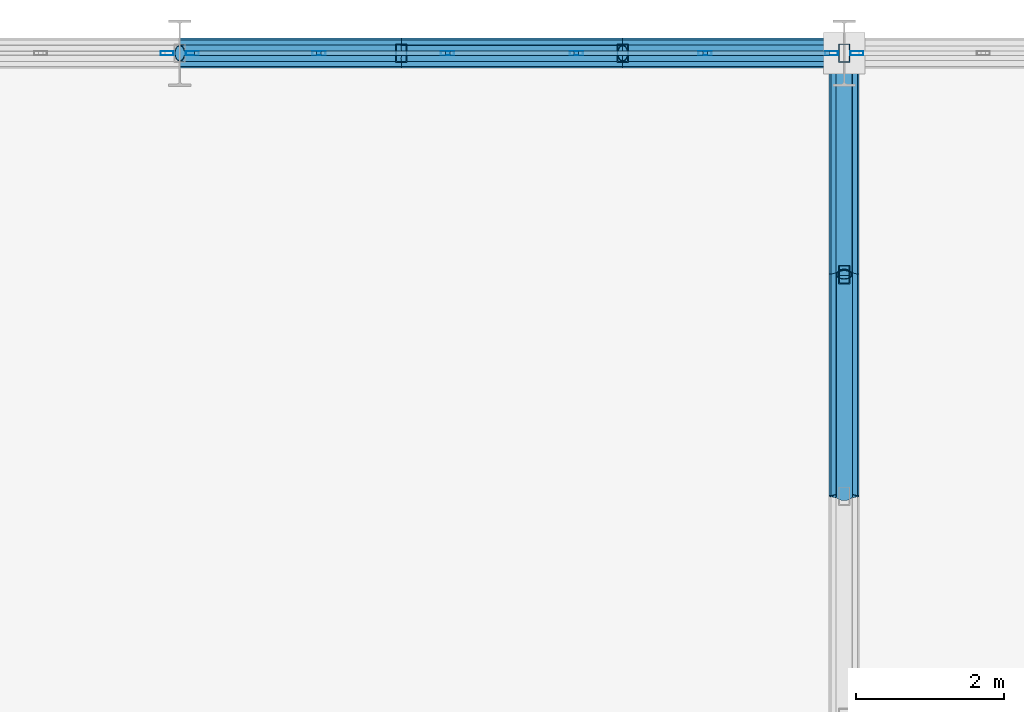
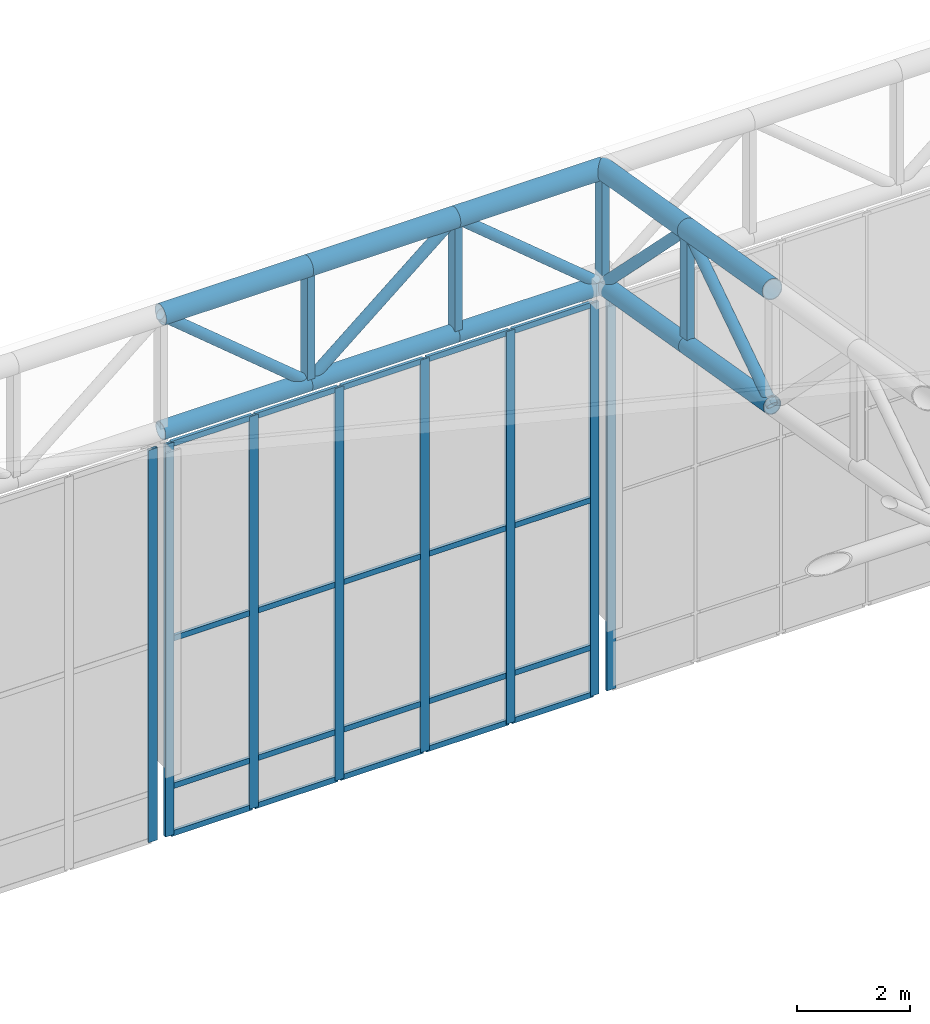
# One storey, part 126 of 239: 47 members, 3 elements without a shape of their own.
"""IFC4 building model written with IfcOpenShell, lengths in metres."""

from ifc_helpers import new_model, si_unit, direction, frame, origin, origin_2d, place, context, subcontext, project, spatial, hollow_rectangle, hollow_circle, extrude, material, material_profile, profile_set, type_object, element, aggregate, save


model = new_model("IFC4")

# Units and contexts
model_context = context("Model", 3, precision=1e-05, world=origin(), true_north=direction((0.0, 1.0)))
body_context = subcontext(model_context, "Body", "Model", "MODEL_VIEW")
ifc_project = project(units=[si_unit("LENGTHUNIT", "METRE"), si_unit("AREAUNIT", "SQUARE_METRE"), si_unit("VOLUMEUNIT", "CUBIC_METRE"), si_unit("PLANEANGLEUNIT", "RADIAN"), si_unit("MASSUNIT", "GRAM", prefix="KILO")], contexts=[model_context])

# Site, building, storey
site_placement = place(None, origin())
site = spatial("IfcSite", under=ifc_project, at=site_placement, CompositionType="ELEMENT")
building_placement = place(site_placement, origin())
building = spatial("IfcBuilding", under=site, at=building_placement, Name="Kaldris Quays Convention Centre", CompositionType="ELEMENT")
storey_placement = place(building_placement, frame((0.0, 0.0, 11.39990234375)))
storey = spatial("IfcBuildingStorey", under=building, at=storey_placement, Name="L02", CompositionType="ELEMENT", Elevation=11.39990234375)

# Curtain wall, member
ifc_material_1 = material(Name="Anodized aluminium AW-6060 and triple glazing", Category="aluminium")
curtain_wall_type = type_object("IfcCurtainWallType", Name="UNITISED CURTAIN WALL CW03", PredefinedType="NOTDEFINED", material=ifc_material_1)
curtain_wall_1_placement = place(storey_placement, origin())
curtain_wall_1 = element("IfcCurtainWall", 1, at=curtain_wall_1_placement, inside=storey, type_object=curtain_wall_type, Name="L02 Unitised Curtain Wall CW03 244", PredefinedType="NOTDEFINED")
ifc_material_2 = material(Name="Anodized aluminium AW-6060", Category="aluminium")
ifc_material_profile_1 = material_profile(ifc_material_2, hollow_rectangle(XDim=0.06005859375, YDim=0.179931640625, WallThickness=0.0048828125, at=origin_2d()), Name="RHS 180x60x5")
ifc_profile_set_1 = profile_set([ifc_material_profile_1], Name="Anodized aluminium AW-6060")
member_type_1 = type_object("IfcMemberType", Name="CURTAIN MULLION CWM2", PredefinedType="MULLION", material=ifc_profile_set_1)
member_1_placement = place(storey_placement, frame((100.830078125, 140.0, -1.60498046875), z_axis=(0.0, 0.0, 1.0), x_axis=(0.0, 1.0, 0.0)))
member_1 = element("IfcMember", 2, at=member_1_placement, type_object=member_type_1, Name="CW03 mullion 6", PredefinedType="MULLION", context=body_context, shape_type="SweptSolid", body=[
    extrude(hollow_rectangle(XDim=0.06005859375, YDim=0.179931640625, WallThickness=0.0048828125, at=origin_2d()), origin(), (0.0, 0.0, 1.0), 8.455078125),
])
aggregate(curtain_wall_1, [member_1])

# Curtain wall, members
curtain_wall_2_placement = place(storey_placement, origin())
curtain_wall_2 = element("IfcCurtainWall", 3, at=curtain_wall_2_placement, inside=storey, type_object=curtain_wall_type, Name="L02 Unitised Curtain Wall CW03 246", PredefinedType="NOTDEFINED")
member_2_placement = place(storey_placement, frame((101.169921875, 140.0, -1.60498046875), z_axis=(0.0, 0.0, 1.0), x_axis=(0.0, 1.0, 0.0)))
member_2 = element("IfcMember", 4, at=member_2_placement, type_object=member_type_1, Name="CW03 mullion 1", PredefinedType="MULLION", context=body_context, shape_type="SweptSolid", body=[
    extrude(hollow_rectangle(XDim=0.06005859375, YDim=0.179931640625, WallThickness=0.0048828125, at=origin_2d()), origin(), (0.0, 0.0, 1.0), 8.455078125),
])
member_3_placement = place(storey_placement, frame((102.884033203125, 140.0, -1.60498046875), z_axis=(0.0, 0.0, 1.0), x_axis=(0.0, 1.0, 0.0)))
member_3 = element("IfcMember", 5, at=member_3_placement, type_object=member_type_1, Name="CW03 mullion 2", PredefinedType="MULLION", context=body_context, shape_type="SweptSolid", body=[
    extrude(hollow_rectangle(XDim=0.06005859375, YDim=0.179931640625, WallThickness=0.0048828125, at=origin_2d()), origin(), (0.0, 0.0, 1.0), 8.455078125),
])
member_4_placement = place(storey_placement, frame((104.6279296875, 140.0, -1.60498046875), z_axis=(0.0, 0.0, 1.0), x_axis=(0.0, 1.0, 0.0)))
member_4 = element("IfcMember", 6, at=member_4_placement, type_object=member_type_1, Name="CW03 mullion 3", PredefinedType="MULLION", context=body_context, shape_type="SweptSolid", body=[
    extrude(hollow_rectangle(XDim=0.06005859375, YDim=0.179931640625, WallThickness=0.0048828125, at=origin_2d()), origin(), (0.0, 0.0, 1.0), 8.455078125),
])
member_5_placement = place(storey_placement, frame((106.3720703125, 140.0, -1.60498046875), z_axis=(0.0, 0.0, 1.0), x_axis=(0.0, 1.0, 0.0)))
member_5 = element("IfcMember", 7, at=member_5_placement, type_object=member_type_1, Name="CW03 mullion 4", PredefinedType="MULLION", context=body_context, shape_type="SweptSolid", body=[
    extrude(hollow_rectangle(XDim=0.06005859375, YDim=0.179931640625, WallThickness=0.0048828125, at=origin_2d()), origin(), (0.0, 0.0, 1.0), 8.455078125),
])
member_6_placement = place(storey_placement, frame((108.115966796875, 140.0, -1.60498046875), z_axis=(0.0, 0.0, 1.0), x_axis=(0.0, 1.0, 0.0)))
member_6 = element("IfcMember", 8, at=member_6_placement, type_object=member_type_1, Name="CW03 mullion 5", PredefinedType="MULLION", context=body_context, shape_type="SweptSolid", body=[
    extrude(hollow_rectangle(XDim=0.06005859375, YDim=0.179931640625, WallThickness=0.0048828125, at=origin_2d()), origin(), (0.0, 0.0, 1.0), 8.455078125),
])
member_7_placement = place(storey_placement, frame((109.830078125, 140.0, -1.60498046875), z_axis=(0.0, 0.0, 1.0), x_axis=(0.0, 1.0, 0.0)))
member_7 = element("IfcMember", 9, at=member_7_placement, type_object=member_type_1, Name="CW03 mullion 6", PredefinedType="MULLION", context=body_context, shape_type="SweptSolid", body=[
    extrude(hollow_rectangle(XDim=0.06005859375, YDim=0.179931640625, WallThickness=0.0048828125, at=origin_2d()), origin(), (0.0, 0.0, 1.0), 8.455078125),
])

# Curtain wall, member
curtain_wall_3_placement = place(storey_placement, origin())
curtain_wall_3 = element("IfcCurtainWall", 10, at=curtain_wall_3_placement, inside=storey, type_object=curtain_wall_type, Name="L02 Unitised Curtain Wall CW03 248", PredefinedType="NOTDEFINED")
member_8_placement = place(storey_placement, frame((110.169921875, 140.0, -1.60498046875), z_axis=(0.0, 0.0, 1.0), x_axis=(0.0, 1.0, 0.0)))
member_8 = element("IfcMember", 11, at=member_8_placement, type_object=member_type_1, Name="CW03 mullion 1", PredefinedType="MULLION", context=body_context, shape_type="SweptSolid", body=[
    extrude(hollow_rectangle(XDim=0.06005859375, YDim=0.179931640625, WallThickness=0.0048828125, at=origin_2d()), origin(), (0.0, 0.0, 1.0), 8.455078125),
])
aggregate(curtain_wall_3, [member_8])

# Member
ifc_material_profile_2 = material_profile(ifc_material_2, hollow_rectangle(XDim=0.06005859375, YDim=0.1201171875, WallThickness=0.00390625, at=origin_2d()), Name="RHS 120x60x4")
ifc_profile_set_2 = profile_set([ifc_material_profile_2], Name="Anodized aluminium AW-6060")
member_type_2 = type_object("IfcMemberType", Name="CURTAIN TRANSOM CWT1", PredefinedType="USERDEFINED", material=ifc_profile_set_2)
member_9_placement = place(storey_placement, frame((101.199951171875, 140.0, -1.574951171875), z_axis=(1.0, 0.0, 0.0), x_axis=(0.0, 1.0, 0.0)))
member_9 = element("IfcMember", 12, at=member_9_placement, type_object=member_type_2, Name="CW03 transom 1.1", ObjectType="TRANSOM", PredefinedType="USERDEFINED", context=body_context, shape_type="SweptSolid", body=[
    extrude(hollow_rectangle(XDim=0.06005859375, YDim=0.1201171875, WallThickness=0.00390625, at=origin_2d()), origin(), (0.0, 0.0, 1.0), 1.654052734375),
])

member_10_placement = place(storey_placement, frame((101.199951171875, 140.0, -0.554931640625), z_axis=(1.0, 0.0, 0.0), x_axis=(0.0, 1.0, 0.0)))
member_10 = element("IfcMember", 13, at=member_10_placement, type_object=member_type_2, Name="CW03 transom 1.2", ObjectType="TRANSOM", PredefinedType="USERDEFINED", context=body_context, shape_type="SweptSolid", body=[
    extrude(hollow_rectangle(XDim=0.06005859375, YDim=0.1201171875, WallThickness=0.00390625, at=origin_2d()), origin(), (0.0, 0.0, 1.0), 1.654052734375),
])

member_11_placement = place(storey_placement, frame((101.199951171875, 140.0, 2.623046875), z_axis=(1.0, 0.0, 0.0), x_axis=(0.0, 1.0, 0.0)))
member_11 = element("IfcMember", 14, at=member_11_placement, type_object=member_type_2, Name="CW03 transom 1.3", ObjectType="TRANSOM", PredefinedType="USERDEFINED", context=body_context, shape_type="SweptSolid", body=[
    extrude(hollow_rectangle(XDim=0.06005859375, YDim=0.1201171875, WallThickness=0.00390625, at=origin_2d()), origin(), (0.0, 0.0, 1.0), 1.654052734375),
])

member_12_placement = place(storey_placement, frame((101.199951171875, 140.0, 6.820068359375), z_axis=(1.0, 0.0, 0.0), x_axis=(0.0, 1.0, 0.0)))
member_12 = element("IfcMember", 15, at=member_12_placement, type_object=member_type_2, Name="CW03 transom 1.4", ObjectType="TRANSOM", PredefinedType="USERDEFINED", context=body_context, shape_type="SweptSolid", body=[
    extrude(hollow_rectangle(XDim=0.06005859375, YDim=0.1201171875, WallThickness=0.00390625, at=origin_2d()), origin(), (0.0, 0.0, 1.0), 1.654052734375),
])

member_13_placement = place(storey_placement, frame((102.9140625, 140.0, -1.574951171875), z_axis=(1.0, 0.0, 0.0), x_axis=(0.0, 1.0, 0.0)))
member_13 = element("IfcMember", 16, at=member_13_placement, type_object=member_type_2, Name="CW03 transom 2.1", ObjectType="TRANSOM", PredefinedType="USERDEFINED", context=body_context, shape_type="SweptSolid", body=[
    extrude(hollow_rectangle(XDim=0.06005859375, YDim=0.1201171875, WallThickness=0.00390625, at=origin_2d()), origin(), (0.0, 0.0, 1.0), 1.683837890625),
])

member_14_placement = place(storey_placement, frame((102.9140625, 140.0, -0.554931640625), z_axis=(1.0, 0.0, 0.0), x_axis=(0.0, 1.0, 0.0)))
member_14 = element("IfcMember", 17, at=member_14_placement, type_object=member_type_2, Name="CW03 transom 2.2", ObjectType="TRANSOM", PredefinedType="USERDEFINED", context=body_context, shape_type="SweptSolid", body=[
    extrude(hollow_rectangle(XDim=0.06005859375, YDim=0.1201171875, WallThickness=0.00390625, at=origin_2d()), origin(), (0.0, 0.0, 1.0), 1.683837890625),
])

member_15_placement = place(storey_placement, frame((102.9140625, 140.0, 2.623046875), z_axis=(1.0, 0.0, 0.0), x_axis=(0.0, 1.0, 0.0)))
member_15 = element("IfcMember", 18, at=member_15_placement, type_object=member_type_2, Name="CW03 transom 2.3", ObjectType="TRANSOM", PredefinedType="USERDEFINED", context=body_context, shape_type="SweptSolid", body=[
    extrude(hollow_rectangle(XDim=0.06005859375, YDim=0.1201171875, WallThickness=0.00390625, at=origin_2d()), origin(), (0.0, 0.0, 1.0), 1.683837890625),
])

member_16_placement = place(storey_placement, frame((102.9140625, 140.0, 6.820068359375), z_axis=(1.0, 0.0, 0.0), x_axis=(0.0, 1.0, 0.0)))
member_16 = element("IfcMember", 19, at=member_16_placement, type_object=member_type_2, Name="CW03 transom 2.4", ObjectType="TRANSOM", PredefinedType="USERDEFINED", context=body_context, shape_type="SweptSolid", body=[
    extrude(hollow_rectangle(XDim=0.06005859375, YDim=0.1201171875, WallThickness=0.00390625, at=origin_2d()), origin(), (0.0, 0.0, 1.0), 1.683837890625),
])

member_17_placement = place(storey_placement, frame((104.657958984375, 140.0, -1.574951171875), z_axis=(1.0, 0.0, 0.0), x_axis=(0.0, 1.0, 0.0)))
member_17 = element("IfcMember", 20, at=member_17_placement, type_object=member_type_2, Name="CW03 transom 3.1", ObjectType="TRANSOM", PredefinedType="USERDEFINED", context=body_context, shape_type="SweptSolid", body=[
    extrude(hollow_rectangle(XDim=0.06005859375, YDim=0.1201171875, WallThickness=0.00390625, at=origin_2d()), origin(), (0.0, 0.0, 1.0), 1.68408203125),
])

member_18_placement = place(storey_placement, frame((104.657958984375, 140.0, -0.554931640625), z_axis=(1.0, 0.0, 0.0), x_axis=(0.0, 1.0, 0.0)))
member_18 = element("IfcMember", 21, at=member_18_placement, type_object=member_type_2, Name="CW03 transom 3.2", ObjectType="TRANSOM", PredefinedType="USERDEFINED", context=body_context, shape_type="SweptSolid", body=[
    extrude(hollow_rectangle(XDim=0.06005859375, YDim=0.1201171875, WallThickness=0.00390625, at=origin_2d()), origin(), (0.0, 0.0, 1.0), 1.68408203125),
])

member_19_placement = place(storey_placement, frame((104.657958984375, 140.0, 2.623046875), z_axis=(1.0, 0.0, 0.0), x_axis=(0.0, 1.0, 0.0)))
member_19 = element("IfcMember", 22, at=member_19_placement, type_object=member_type_2, Name="CW03 transom 3.3", ObjectType="TRANSOM", PredefinedType="USERDEFINED", context=body_context, shape_type="SweptSolid", body=[
    extrude(hollow_rectangle(XDim=0.06005859375, YDim=0.1201171875, WallThickness=0.00390625, at=origin_2d()), origin(), (0.0, 0.0, 1.0), 1.68408203125),
])

member_20_placement = place(storey_placement, frame((104.657958984375, 140.0, 6.820068359375), z_axis=(1.0, 0.0, 0.0), x_axis=(0.0, 1.0, 0.0)))
member_20 = element("IfcMember", 23, at=member_20_placement, type_object=member_type_2, Name="CW03 transom 3.4", ObjectType="TRANSOM", PredefinedType="USERDEFINED", context=body_context, shape_type="SweptSolid", body=[
    extrude(hollow_rectangle(XDim=0.06005859375, YDim=0.1201171875, WallThickness=0.00390625, at=origin_2d()), origin(), (0.0, 0.0, 1.0), 1.68408203125),
])

member_21_placement = place(storey_placement, frame((106.402099609375, 140.0, -1.574951171875), z_axis=(1.0, 0.0, 0.0), x_axis=(0.0, 1.0, 0.0)))
member_21 = element("IfcMember", 24, at=member_21_placement, type_object=member_type_2, Name="CW03 transom 4.1", ObjectType="TRANSOM", PredefinedType="USERDEFINED", context=body_context, shape_type="SweptSolid", body=[
    extrude(hollow_rectangle(XDim=0.06005859375, YDim=0.1201171875, WallThickness=0.00390625, at=origin_2d()), origin(), (0.0, 0.0, 1.0), 1.683837890625),
])

member_22_placement = place(storey_placement, frame((106.402099609375, 140.0, -0.554931640625), z_axis=(1.0, 0.0, 0.0), x_axis=(0.0, 1.0, 0.0)))
member_22 = element("IfcMember", 25, at=member_22_placement, type_object=member_type_2, Name="CW03 transom 4.2", ObjectType="TRANSOM", PredefinedType="USERDEFINED", context=body_context, shape_type="SweptSolid", body=[
    extrude(hollow_rectangle(XDim=0.06005859375, YDim=0.1201171875, WallThickness=0.00390625, at=origin_2d()), origin(), (0.0, 0.0, 1.0), 1.683837890625),
])

member_23_placement = place(storey_placement, frame((106.402099609375, 140.0, 2.623046875), z_axis=(1.0, 0.0, 0.0), x_axis=(0.0, 1.0, 0.0)))
member_23 = element("IfcMember", 26, at=member_23_placement, type_object=member_type_2, Name="CW03 transom 4.3", ObjectType="TRANSOM", PredefinedType="USERDEFINED", context=body_context, shape_type="SweptSolid", body=[
    extrude(hollow_rectangle(XDim=0.06005859375, YDim=0.1201171875, WallThickness=0.00390625, at=origin_2d()), origin(), (0.0, 0.0, 1.0), 1.683837890625),
])

member_24_placement = place(storey_placement, frame((106.402099609375, 140.0, 6.820068359375), z_axis=(1.0, 0.0, 0.0), x_axis=(0.0, 1.0, 0.0)))
member_24 = element("IfcMember", 27, at=member_24_placement, type_object=member_type_2, Name="CW03 transom 4.4", ObjectType="TRANSOM", PredefinedType="USERDEFINED", context=body_context, shape_type="SweptSolid", body=[
    extrude(hollow_rectangle(XDim=0.06005859375, YDim=0.1201171875, WallThickness=0.00390625, at=origin_2d()), origin(), (0.0, 0.0, 1.0), 1.683837890625),
])

member_25_placement = place(storey_placement, frame((108.14599609375, 140.0, -1.574951171875), z_axis=(1.0, 0.0, 0.0), x_axis=(0.0, 1.0, 0.0)))
member_25 = element("IfcMember", 28, at=member_25_placement, type_object=member_type_2, Name="CW03 transom 5.1", ObjectType="TRANSOM", PredefinedType="USERDEFINED", context=body_context, shape_type="SweptSolid", body=[
    extrude(hollow_rectangle(XDim=0.06005859375, YDim=0.1201171875, WallThickness=0.00390625, at=origin_2d()), origin(), (0.0, 0.0, 1.0), 1.654052734375),
])

member_26_placement = place(storey_placement, frame((108.14599609375, 140.0, -0.554931640625), z_axis=(1.0, 0.0, 0.0), x_axis=(0.0, 1.0, 0.0)))
member_26 = element("IfcMember", 29, at=member_26_placement, type_object=member_type_2, Name="CW03 transom 5.2", ObjectType="TRANSOM", PredefinedType="USERDEFINED", context=body_context, shape_type="SweptSolid", body=[
    extrude(hollow_rectangle(XDim=0.06005859375, YDim=0.1201171875, WallThickness=0.00390625, at=origin_2d()), origin(), (0.0, 0.0, 1.0), 1.654052734375),
])

member_27_placement = place(storey_placement, frame((108.14599609375, 140.0, 2.623046875), z_axis=(1.0, 0.0, 0.0), x_axis=(0.0, 1.0, 0.0)))
member_27 = element("IfcMember", 30, at=member_27_placement, type_object=member_type_2, Name="CW03 transom 5.3", ObjectType="TRANSOM", PredefinedType="USERDEFINED", context=body_context, shape_type="SweptSolid", body=[
    extrude(hollow_rectangle(XDim=0.06005859375, YDim=0.1201171875, WallThickness=0.00390625, at=origin_2d()), origin(), (0.0, 0.0, 1.0), 1.654052734375),
])

member_28_placement = place(storey_placement, frame((108.14599609375, 140.0, 6.820068359375), z_axis=(1.0, 0.0, 0.0), x_axis=(0.0, 1.0, 0.0)))
member_28 = element("IfcMember", 31, at=member_28_placement, type_object=member_type_2, Name="CW03 transom 5.4", ObjectType="TRANSOM", PredefinedType="USERDEFINED", context=body_context, shape_type="SweptSolid", body=[
    extrude(hollow_rectangle(XDim=0.06005859375, YDim=0.1201171875, WallThickness=0.00390625, at=origin_2d()), origin(), (0.0, 0.0, 1.0), 1.654052734375),
])

aggregate(curtain_wall_2, [member_2, member_3, member_4, member_5, member_6, member_7, member_9, member_10, member_11, member_12, member_13, member_14, member_15, member_16, member_17, member_18, member_19, member_20, member_21, member_22, member_23, member_24, member_25, member_26, member_27, member_28])

# Members
ifc_material_3 = material(Name="Steel S355J2H", Category="steel")
ifc_material_profile_3 = material_profile(ifc_material_3, hollow_circle(Radius=0.203125, WallThickness=0.01611328125, at=origin_2d()), Name="CHS 406.4x16")
ifc_profile_set_3 = profile_set([ifc_material_profile_3], Name="Steel S355J2H")
member_type_3 = type_object("IfcMemberType", Name="STRUCTURAL MEMBER SC01", PredefinedType="CHORD", material=ifc_profile_set_3)
for number, where, z_axis, x_axis, name in (
    (32, (101.0, 140.0, 9.671875), (1.0, 0.0, 0.0), (0.0, 1.0, 0.0), "SF-V1 Top Chord X 322"),
    (33, (104.0, 140.0, 9.671875), (1.0, 0.0, 0.0), (0.0, 1.0, 0.0), "SF-V1 Top Chord X 323"),
    (34, (107.0, 140.0, 9.671875), (1.0, 0.0, 0.0), (0.0, 1.0, 0.0), "SF-V1 Top Chord X 324"),
):
    element("IfcMember", number, at=place(storey_placement, frame(where, z_axis=z_axis, x_axis=x_axis)), inside=storey, type_object=member_type_3, Name=name, PredefinedType="CHORD", context=body_context, shape_type="SweptSolid", body=[
        extrude(hollow_circle(Radius=0.203125, WallThickness=0.01611328125, at=origin_2d()), origin(), (0.0, 0.0, 1.0), 3.0),
    ])
for number, where, z_axis, x_axis, name in (
    (35, (110.0, 134.0, 10.700439453125), (0.0, 0.98562912375, -0.168923741424), (-1.0, 0.0, 0.0), "SF-V1 Top Chord Y 503"),
    (36, (110.0, 137.0, 10.186279296875), (0.0, 0.985615766076, -0.169001661712), (-1.0, 0.0, 0.0), "SF-V1 Top Chord Y 504"),
):
    element("IfcMember", number, at=place(storey_placement, frame(where, z_axis=z_axis, x_axis=x_axis)), inside=storey, type_object=member_type_3, Name=name, PredefinedType="CHORD", context=body_context, shape_type="SweptSolid", body=[
        extrude(hollow_circle(Radius=0.203125, WallThickness=0.01611328125, at=origin_2d()), origin(), (0.0, 0.0, 1.0), 3.043701171875),
    ])
ifc_material_profile_4 = material_profile(ifc_material_3, hollow_circle(Radius=0.177734375, WallThickness=0.01611328125, at=origin_2d()), Name="CHS 355.6x16")
ifc_profile_set_4 = profile_set([ifc_material_profile_4], Name="Steel S355J2H")
member_type_4 = type_object("IfcMemberType", Name="STRUCTURAL MEMBER SC02", PredefinedType="CHORD", material=ifc_profile_set_4)
for number, where, z_axis, x_axis, name in (
    (37, (101.0, 140.0, 7.171875), (1.0, 0.0, 0.0), (0.0, 1.0, 0.0), "SF-V1 Bottom Chord X 322"),
    (38, (104.0, 140.0, 7.171875), (1.0, 0.0, 0.0), (0.0, 1.0, 0.0), "SF-V1 Bottom Chord X 323"),
    (39, (107.0, 140.0, 7.171875), (1.0, 0.0, 0.0), (0.0, 1.0, 0.0), "SF-V1 Bottom Chord X 324"),
):
    element("IfcMember", number, at=place(storey_placement, frame(where, z_axis=z_axis, x_axis=x_axis)), inside=storey, type_object=member_type_4, Name=name, PredefinedType="CHORD", context=body_context, shape_type="SweptSolid", body=[
        extrude(hollow_circle(Radius=0.177734375, WallThickness=0.01611328125, at=origin_2d()), origin(), (0.0, 0.0, 1.0), 3.0),
    ])
for number, where, z_axis, x_axis, name in (
    (40, (110.0, 134.0, 8.200439453125), (0.0, 0.98562912375, -0.168923741424), (-1.0, 0.0, 0.0), "SF-V1 Bottom Chord Y 503"),
    (41, (110.0, 137.0, 7.686279296875), (0.0, 0.985615766076, -0.169001661712), (-1.0, 0.0, 0.0), "SF-V1 Bottom Chord Y 504"),
):
    element("IfcMember", number, at=place(storey_placement, frame(where, z_axis=z_axis, x_axis=x_axis)), inside=storey, type_object=member_type_4, Name=name, PredefinedType="CHORD", context=body_context, shape_type="SweptSolid", body=[
        extrude(hollow_circle(Radius=0.177734375, WallThickness=0.01611328125, at=origin_2d()), origin(), (0.0, 0.0, 1.0), 3.043701171875),
    ])
ifc_material_profile_5 = material_profile(ifc_material_3, hollow_circle(Radius=0.109619140625, WallThickness=0.010009765625, at=origin_2d()), Name="CHS 219.1x10")
ifc_profile_set_5 = profile_set([ifc_material_profile_5], Name="Steel S355J2H")
member_type_5 = type_object("IfcMemberType", Name="STRUCTURAL MEMBER SWB1", PredefinedType="BRACE", material=ifc_profile_set_5)
for number, where, z_axis, x_axis, name in (
    (42, (104.0, 140.0, 7.171875), (-0.768221279597, 0.0, 0.640184399664), (0.0, -1.0, 0.0), "SF-V1 Web Diagonal X 322"),
    (43, (104.0, 140.0, 7.171875), (0.768221279597, 0.0, 0.640184399664), (0.0, 1.0, 0.0), "SF-V1 Web Diagonal X 323"),
    (44, (110.0, 140.0, 7.171875), (-0.768221279597, 0.0, 0.640184399664), (0.0, -1.0, 0.0), "SF-V1 Web Diagonal X 324"),
):
    element("IfcMember", number, at=place(storey_placement, frame(where, z_axis=z_axis, x_axis=x_axis)), inside=storey, type_object=member_type_5, Name=name, PredefinedType="BRACE", context=body_context, shape_type="SweptSolid", body=[
        extrude(hollow_circle(Radius=0.109619140625, WallThickness=0.010009765625, at=origin_2d()), origin(), (0.0, 0.0, 1.0), 3.905029296875),
    ])
member_29_placement = place(storey_placement, frame((110.0, 134.0, 8.200439453125), z_axis=(0.0, 0.833862389808, 0.551972385962), x_axis=(-1.0, 0.0, 0.0)))
element("IfcMember", 45, at=member_29_placement, inside=storey, type_object=member_type_5, Name="SF-V1 Web Diagonal Y 503", PredefinedType="BRACE", context=body_context, shape_type="SweptSolid", body=[
    extrude(hollow_circle(Radius=0.109619140625, WallThickness=0.010009765625, at=origin_2d()), origin(), (0.0, 0.0, 1.0), 3.59765625),
])
member_30_placement = place(storey_placement, frame((110.0, 140.0, 7.171875), z_axis=(0.0, -0.705411261057, 0.708798245465), x_axis=(1.0, 0.0, 0.0)))
element("IfcMember", 46, at=member_30_placement, inside=storey, type_object=member_type_5, Name="SF-V1 Web Diagonal Y 504", PredefinedType="BRACE", context=body_context, shape_type="SweptSolid", body=[
    extrude(hollow_circle(Radius=0.109619140625, WallThickness=0.010009765625, at=origin_2d()), origin(), (0.0, 0.0, 1.0), 4.2529296875),
])
ifc_material_profile_6 = material_profile(ifc_material_3, hollow_rectangle(XDim=0.14990234375, YDim=0.25, WallThickness=0.010009765625, at=origin_2d()), Name="RHS 250x150x10")
ifc_profile_set_6 = profile_set([ifc_material_profile_6], Name="Steel S355J2H")
member_type_6 = type_object("IfcMemberType", Name="STRUCTURAL MEMBER TTV1", PredefinedType="POST", material=ifc_profile_set_6)
for number, where, z_axis, x_axis, name in (
    (47, (104.0, 140.0, 7.171875), (0.0, 0.0, 1.0), (1.0, 0.0, 0.0), "SF-V1 Space-Frame Post 337"),
    (48, (107.0, 140.0, 7.171875), (0.0, 0.0, 1.0), (1.0, 0.0, 0.0), "SF-V1 Space-Frame Post 345"),
    (49, (110.0, 137.0, 7.686279296875), (0.0, 0.0, 1.0), (1.0, 0.0, 0.0), "SF-V1 Space-Frame Post 373"),
):
    element("IfcMember", number, at=place(storey_placement, frame(where, z_axis=z_axis, x_axis=x_axis)), inside=storey, type_object=member_type_6, Name=name, PredefinedType="POST", context=body_context, shape_type="SweptSolid", body=[
        extrude(hollow_rectangle(XDim=0.14990234375, YDim=0.25, WallThickness=0.010009765625, at=origin_2d()), origin(), (0.0, 0.0, 1.0), 2.5),
    ])
member_31_placement = place(storey_placement, frame((110.0, 140.0, 6.994140625), z_axis=(0.0, 0.0, 1.0), x_axis=(1.0, 0.0, 0.0)))
element("IfcMember", 50, at=member_31_placement, inside=storey, type_object=member_type_6, Name="SF-V1 Space-Frame Post 374", PredefinedType="POST", context=body_context, shape_type="SweptSolid", body=[
    extrude(hollow_rectangle(XDim=0.14990234375, YDim=0.25, WallThickness=0.010009765625, at=origin_2d()), origin(), (0.0, 0.0, 1.0), 2.677734375),
])

save(model, "model.ifc")
